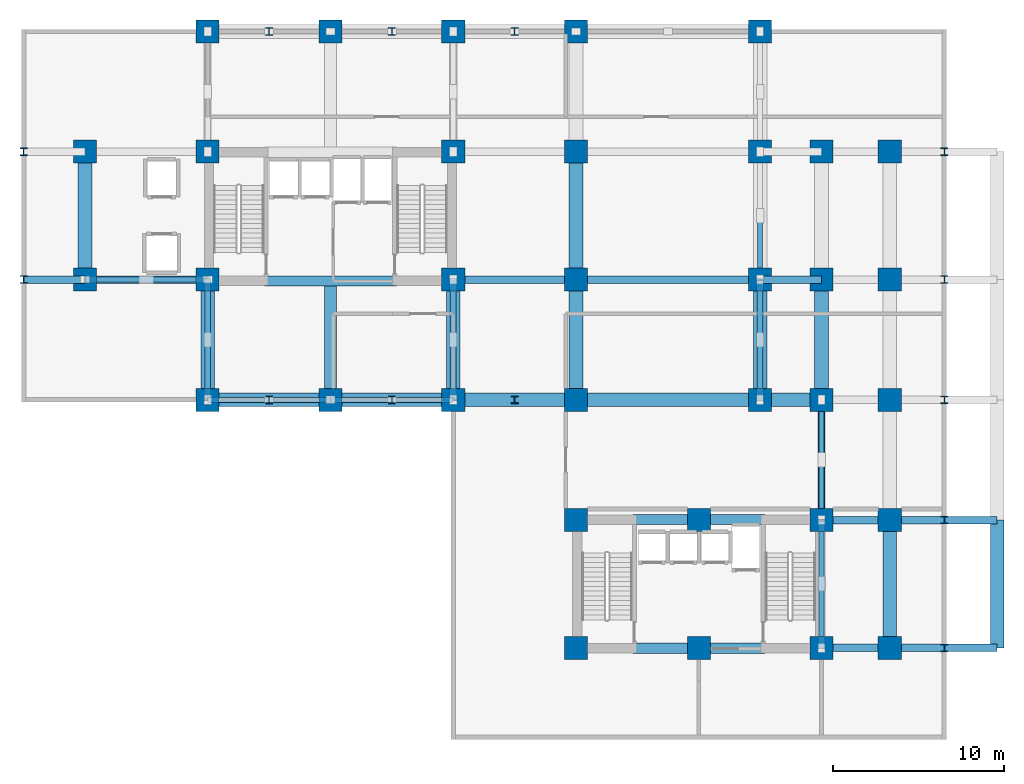
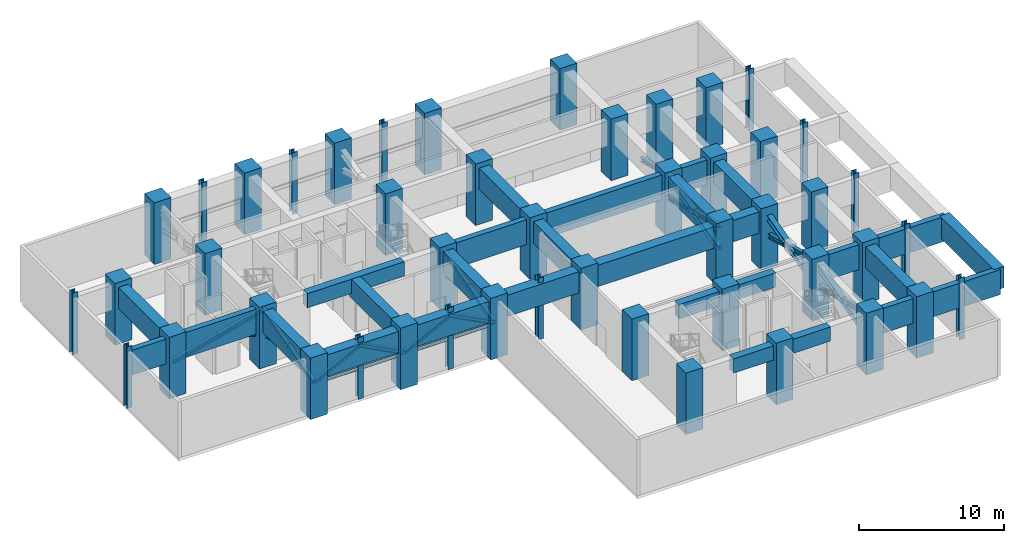
# One storey, part 1 of 8: 47 columns, 25 beams, 25 members.
"""IFC4 building model written with IfcOpenShell, lengths in metres."""

from ifc_helpers import new_model, si_unit, direction, frame, origin, origin_2d, place, context, subcontext, project, spatial, rectangle, i_section, extrude, source, transform, mapped, material, material_profile, profile_set, type_object, element, save


model = new_model("IFC4")

# Units and contexts
model_context = context("Model", 3, precision=1e-05, world=origin(), true_north=direction((0.0, 1.0)))
body_context = subcontext(model_context, "Body", "Model", "MODEL_VIEW")
ifc_project = project(units=[si_unit("LENGTHUNIT", "METRE"), si_unit("AREAUNIT", "SQUARE_METRE"), si_unit("VOLUMEUNIT", "CUBIC_METRE"), si_unit("PLANEANGLEUNIT", "RADIAN"), si_unit("MASSUNIT", "GRAM", prefix="KILO")], contexts=[model_context])

# Site, building, storey
site_placement = place(None, origin())
site = spatial("IfcSite", under=ifc_project, at=site_placement, CompositionType="ELEMENT")
building_placement = place(site_placement, origin())
building = spatial("IfcBuilding", under=site, at=building_placement, Name="Kaliganga Portal Commons", CompositionType="ELEMENT")
storey_placement = place(building_placement, frame((0.0, 0.0, 73.39990234375)))
storey = spatial("IfcBuildingStorey", under=building, at=storey_placement, Name="L18", CompositionType="ELEMENT", Elevation=73.39990234375)

# Columns
ifc_material_1 = material(Name="Concrete C70/85", Category="concrete")
ifc_material_profile_1 = material_profile(ifc_material_1, rectangle(XDim=1.35009765625, YDim=1.35009765625, at=origin_2d()), Name="RC 1350x1350")
ifc_profile_set_1 = profile_set([ifc_material_profile_1], Name="Concrete C70/85")
column_type_1 = type_object("IfcColumnType", Name="COL-MEGA-Z1", PredefinedType="COLUMN", material=ifc_profile_set_1)
shared_shape_1 = source(origin(), body_context, "Body", "SweptSolid", [
    extrude(rectangle(XDim=1.35009765625, YDim=1.35009765625, at=origin_2d()), origin(), (0.0, 0.0, 1.0), 5.2001953125),
])
for number, where, z_axis, x_axis, name in (
    (1, (7.199951171875, 28.64990234375, 0.0), (0.0, 0.0, 1.0), (1.0, 0.0, 0.0), "Column MC-02 L18"),
    (2, (7.199951171875, 36.14990234375, 0.0), (0.0, 0.0, 1.0), (1.0, 0.0, 0.0), "Column MC-02 L18"),
    (3, (14.39990234375, 21.60009765625, 0.0), (0.0, 0.0, 1.0), (1.0, 0.0, 0.0), "Column MC-02 L18"),
    (4, (14.39990234375, 28.64990234375, 0.0), (0.0, 0.0, 1.0), (1.0, 0.0, 0.0), "Column MC-02 L18"),
    (5, (14.39990234375, 36.14990234375, 0.0), (0.0, 0.0, 1.0), (1.0, 0.0, 0.0), "Column MC-02 L18"),
    (6, (14.39990234375, 43.199951171875, 0.0), (0.0, 0.0, 1.0), (1.0, 0.0, 0.0), "Column MC-02 L18"),
    (7, (21.60009765625, 21.60009765625, 0.0), (0.0, 0.0, 1.0), (1.0, 0.0, 0.0), "Column MC-02 L18"),
    (8, (21.60009765625, 43.199951171875, 0.0), (0.0, 0.0, 1.0), (1.0, 0.0, 0.0), "Column MC-02 L18"),
    (9, (28.800048828125, 21.60009765625, 0.0), (0.0, 0.0, 1.0), (1.0, 0.0, 0.0), "Column MC-02 L18"),
    (10, (28.800048828125, 28.64990234375, 0.0), (0.0, 0.0, 1.0), (1.0, 0.0, 0.0), "Column MC-02 L18"),
    (11, (28.800048828125, 36.14990234375, 0.0), (0.0, 0.0, 1.0), (1.0, 0.0, 0.0), "Column MC-02 L18"),
    (12, (28.800048828125, 43.199951171875, 0.0), (0.0, 0.0, 1.0), (1.0, 0.0, 0.0), "Column MC-02 L18"),
    (13, (36.0, 21.60009765625, 0.0), (0.0, 0.0, 1.0), (1.0, 0.0, 0.0), "Column MC-02 L18"),
    (14, (36.0, 43.199951171875, 0.0), (0.0, 0.0, 1.0), (1.0, 0.0, 0.0), "Column MC-02 L18"),
    (15, (36.0, 28.64990234375, 0.0), (0.0, 0.0, 1.0), (1.0, 0.0, 0.0), "Column MC-02 L18"),
    (16, (36.0, 36.14990234375, 0.0), (0.0, 0.0, 1.0), (1.0, 0.0, 0.0), "Column MC-02 L18"),
    (17, (46.800048828125, 21.60009765625, 0.0), (0.0, 0.0, 1.0), (1.0, 0.0, 0.0), "Column MC-02 L18"),
    (18, (46.800048828125, 28.64990234375, 0.0), (0.0, 0.0, 1.0), (1.0, 0.0, 0.0), "Column MC-02 L18"),
    (19, (46.800048828125, 36.14990234375, 0.0), (0.0, 0.0, 1.0), (1.0, 0.0, 0.0), "Column MC-02 L18"),
    (20, (46.800048828125, 43.199951171875, 0.0), (0.0, 0.0, 1.0), (1.0, 0.0, 0.0), "Column MC-02 L18"),
    (21, (36.0, 7.050048828125, 0.0), (0.0, 0.0, 1.0), (1.0, 0.0, 0.0), "Column MC-02 L18"),
    (22, (36.0, 14.550048828125, 0.0), (0.0, 0.0, 1.0), (1.0, 0.0, 0.0), "Column MC-02 L18"),
    (23, (43.199951171875, 7.050048828125, 0.0), (0.0, 0.0, 1.0), (1.0, 0.0, 0.0), "Column MC-02 L18"),
    (24, (43.199951171875, 14.550048828125, 0.0), (0.0, 0.0, 1.0), (1.0, 0.0, 0.0), "Column MC-02 L18"),
    (25, (50.39990234375, 7.050048828125, 0.0), (0.0, 0.0, 1.0), (1.0, 0.0, 0.0), "Column MC-02 L18"),
    (26, (50.39990234375, 14.550048828125, 0.0), (0.0, 0.0, 1.0), (1.0, 0.0, 0.0), "Column MC-02 L18"),
    (27, (50.39990234375, 21.60009765625, 0.0), (0.0, 0.0, 1.0), (1.0, 0.0, 0.0), "Column MC-02 L18"),
    (28, (50.39990234375, 28.64990234375, 0.0), (0.0, 0.0, 1.0), (1.0, 0.0, 0.0), "Column MC-02 L18"),
    (29, (50.39990234375, 36.14990234375, 0.0), (0.0, 0.0, 1.0), (1.0, 0.0, 0.0), "Column MC-02 L18"),
    (30, (54.39990234375, 7.050048828125, 0.0), (0.0, 0.0, 1.0), (1.0, 0.0, 0.0), "Column MC-02 L18"),
    (31, (54.39990234375, 14.550048828125, 0.0), (0.0, 0.0, 1.0), (1.0, 0.0, 0.0), "Column MC-02 L18"),
    (32, (54.39990234375, 21.60009765625, 0.0), (0.0, 0.0, 1.0), (1.0, 0.0, 0.0), "Column MC-02 L18"),
    (33, (54.39990234375, 28.64990234375, 0.0), (0.0, 0.0, 1.0), (1.0, 0.0, 0.0), "Column MC-02 L18"),
    (34, (54.39990234375, 36.14990234375, 0.0), (0.0, 0.0, 1.0), (1.0, 0.0, 0.0), "Column MC-02 L18"),
):
    element("IfcColumn", number, at=place(storey_placement, frame(where, z_axis=z_axis, x_axis=x_axis)), inside=storey, type_object=column_type_1, Name=name, PredefinedType="COLUMN", context=body_context, shape_type="MappedRepresentation", body=[
        mapped(shared_shape_1, transform((0.0, 0.0, 0.0), x_axis=(1.0, 0.0, 0.0), y_axis=(0.0, 1.0, 0.0), z_axis=(0.0, 0.0, 1.0), scale=1.0)),
    ])
ifc_material_2 = material(Name="Structural steel S460M", Category="steel")
ifc_material_profile_2 = material_profile(ifc_material_2, i_section(OverallWidth=0.416015625, OverallDepth=0.446044921875, WebThickness=0.029052734375, FlangeThickness=0.0400390625, FilletRadius=0.014892578125, at=origin_2d()), Name="HD 400x509")
ifc_profile_set_2 = profile_set([ifc_material_profile_2], Name="Structural steel S460M wide-flange")
column_type_2 = type_object("IfcColumnType", Name="COL-TUBE-B1", PredefinedType="COLUMN", material=ifc_profile_set_2)
shared_shape_2 = source(origin(), body_context, "Body", "SweptSolid", [
    extrude(i_section(OverallWidth=0.416015625, OverallDepth=0.446044921875, WebThickness=0.029052734375, FlangeThickness=0.0400390625, FilletRadius=0.014892578125, at=origin_2d()), origin(), (0.0, 0.0, 1.0), 5.2001953125),
])
for number, where, z_axis, x_axis, name in (
    (35, (3.60009765625, 28.64990234375, 0.0), (0.0, 0.0, 1.0), (1.0, 0.0, 0.0), "Column TC-01 L18"),
    (36, (3.60009765625, 36.14990234375, 0.0), (0.0, 0.0, 1.0), (1.0, 0.0, 0.0), "Column TC-01 L18"),
    (37, (18.0, 21.60009765625, 0.0), (0.0, 0.0, 1.0), (1.0, 0.0, 0.0), "Column TC-01 L18"),
    (38, (18.0, 43.199951171875, 0.0), (0.0, 0.0, 1.0), (1.0, 0.0, 0.0), "Column TC-01 L18"),
    (39, (25.199951171875, 21.60009765625, 0.0), (0.0, 0.0, 1.0), (1.0, 0.0, 0.0), "Column TC-01 L18"),
    (40, (25.199951171875, 43.199951171875, 0.0), (0.0, 0.0, 1.0), (1.0, 0.0, 0.0), "Column TC-01 L18"),
    (41, (32.39990234375, 21.60009765625, 0.0), (0.0, 0.0, 1.0), (1.0, 0.0, 0.0), "Column TC-01 L18"),
    (42, (32.39990234375, 43.199951171875, 0.0), (0.0, 0.0, 1.0), (1.0, 0.0, 0.0), "Column TC-01 L18"),
    (43, (57.60009765625, 7.050048828125, 0.0), (0.0, 0.0, 1.0), (1.0, 0.0, 0.0), "Column TC-01 L18"),
    (44, (57.60009765625, 14.550048828125, 0.0), (0.0, 0.0, 1.0), (1.0, 0.0, 0.0), "Column TC-01 L18"),
    (45, (57.60009765625, 21.60009765625, 0.0), (0.0, 0.0, 1.0), (1.0, 0.0, 0.0), "Column TC-01 L18"),
    (46, (57.60009765625, 28.64990234375, 0.0), (0.0, 0.0, 1.0), (1.0, 0.0, 0.0), "Column TC-01 L18"),
    (47, (57.60009765625, 36.14990234375, 0.0), (0.0, 0.0, 1.0), (1.0, 0.0, 0.0), "Column TC-01 L18"),
):
    element("IfcColumn", number, at=place(storey_placement, frame(where, z_axis=z_axis, x_axis=x_axis)), inside=storey, type_object=column_type_2, Name=name, PredefinedType="COLUMN", context=body_context, shape_type="MappedRepresentation", body=[
        mapped(shared_shape_2, transform((0.0, 0.0, 0.0), x_axis=(1.0, 0.0, 0.0), y_axis=(0.0, 1.0, 0.0), z_axis=(0.0, 0.0, 1.0), scale=1.0)),
    ])

# Beams
ifc_material_3 = material(Name="Concrete C60/75", Category="concrete")
ifc_material_profile_3 = material_profile(ifc_material_3, rectangle(XDim=0.60009765625, YDim=1.199951171875, at=origin_2d()), Name="RC 600x1200")
ifc_profile_set_3 = profile_set([ifc_material_profile_3], Name="Concrete C60/75")
beam_type_1 = type_object("IfcBeamType", Name="BM-CPL-1200", PredefinedType="LINTEL", material=ifc_profile_set_3)
shared_shape_3 = source(origin(), body_context, "Body", "SweptSolid", [
    extrude(rectangle(XDim=0.60009765625, YDim=1.199951171875, at=origin_2d()), origin(), (0.0, 0.0, 1.0), 7.739990234375),
])
for number, where, z_axis, x_axis, name in (
    (48, (17.72998046875, 28.574951171875, 4.18017578125), (1.0, 0.0, 0.0), (0.0, 1.0, 0.0), "BM CPL COREA L18 S"),
    (49, (39.330078125, 7.02490234375, 4.18017578125), (1.0, 0.0, 0.0), (0.0, 1.0, 0.0), "BM CPL COREB L18 S"),
    (50, (39.330078125, 14.574951171875, 4.18017578125), (1.0, 0.0, 0.0), (0.0, 1.0, 0.0), "BM CPL COREB L18 N"),
):
    element("IfcBeam", number, at=place(storey_placement, frame(where, z_axis=z_axis, x_axis=x_axis)), inside=storey, type_object=beam_type_1, Name=name, PredefinedType="LINTEL", context=body_context, shape_type="MappedRepresentation", body=[
        mapped(shared_shape_3, transform((0.0, 0.0, 0.0), x_axis=(1.0, 0.0, 0.0), y_axis=(0.0, 1.0, 0.0), z_axis=(0.0, 0.0, 1.0), scale=1.0)),
    ])
ifc_material_profile_4 = material_profile(ifc_material_1, rectangle(XDim=0.800048828125, YDim=1.800048828125, at=origin_2d()), Name="RC 800x1800")
ifc_profile_set_4 = profile_set([ifc_material_profile_4], Name="Concrete C70/85")
beam_type_2 = type_object("IfcBeamType", Name="BM-XFER-1800", PredefinedType="T_BEAM", material=ifc_profile_set_4)
shared_shape_4 = source(origin(), body_context, "Body", "SweptSolid", [
    extrude(rectangle(XDim=0.800048828125, YDim=1.800048828125, at=origin_2d()), origin(), (0.0, 0.0, 1.0), 7.2001953125),
])
beam_1_placement = place(storey_placement, frame((14.39990234375, 21.60009765625, 3.880126953125), z_axis=(1.0, 0.0, 0.0), x_axis=(0.0, 1.0, 0.0)))
element("IfcBeam", 51, at=beam_1_placement, inside=storey, type_object=beam_type_2, Name="Transfer Girder BM XFER L18 ASW 1", PredefinedType="T_BEAM", context=body_context, shape_type="MappedRepresentation", body=[
    mapped(shared_shape_4, transform((0.0, 0.0, 0.0), x_axis=(1.0, 0.0, 0.0), y_axis=(0.0, 1.0, 0.0), z_axis=(0.0, 0.0, 1.0), scale=1.0)),
])
shared_shape_5 = source(origin(), body_context, "Body", "SweptSolid", [
    extrude(rectangle(XDim=0.800048828125, YDim=1.800048828125, at=origin_2d()), origin(), (0.0, 0.0, 1.0), 7.199951171875),
])
for number, where, z_axis, x_axis, name in (
    (52, (21.60009765625, 21.60009765625, 3.880126953125), (1.0, 0.0, 0.0), (0.0, 1.0, 0.0), "Transfer Girder BM XFER L18 ASW 2"),
    (53, (28.800048828125, 21.60009765625, 3.880126953125), (1.0, 0.0, 0.0), (0.0, 1.0, 0.0), "Transfer Girder BM XFER L18 ASW 3"),
):
    element("IfcBeam", number, at=place(storey_placement, frame(where, z_axis=z_axis, x_axis=x_axis)), inside=storey, type_object=beam_type_2, Name=name, PredefinedType="T_BEAM", context=body_context, shape_type="MappedRepresentation", body=[
        mapped(shared_shape_5, transform((0.0, 0.0, 0.0), x_axis=(1.0, 0.0, 0.0), y_axis=(0.0, 1.0, 0.0), z_axis=(0.0, 0.0, 1.0), scale=1.0)),
    ])
shared_shape_6 = source(origin(), body_context, "Body", "SweptSolid", [
    extrude(rectangle(XDim=0.800048828125, YDim=1.800048828125, at=origin_2d()), origin(), (0.0, 0.0, 1.0), 10.800048828125),
])
beam_2_placement = place(storey_placement, frame((36.0, 21.60009765625, 3.880126953125), z_axis=(1.0, 0.0, 0.0), x_axis=(0.0, 1.0, 0.0)))
element("IfcBeam", 54, at=beam_2_placement, inside=storey, type_object=beam_type_2, Name="Transfer Girder BM XFER L18 ASE 1", PredefinedType="T_BEAM", context=body_context, shape_type="MappedRepresentation", body=[
    mapped(shared_shape_6, transform((0.0, 0.0, 0.0), x_axis=(1.0, 0.0, 0.0), y_axis=(0.0, 1.0, 0.0), z_axis=(0.0, 0.0, 1.0), scale=1.0)),
])
shared_shape_7 = source(origin(), body_context, "Body", "SweptSolid", [
    extrude(rectangle(XDim=0.800048828125, YDim=1.800048828125, at=origin_2d()), origin(), (0.0, 0.0, 1.0), 3.599853515625),
])
beam_3_placement = place(storey_placement, frame((46.800048828125, 21.60009765625, 3.880126953125), z_axis=(1.0, 0.0, 0.0), x_axis=(0.0, 1.0, 0.0)))
element("IfcBeam", 55, at=beam_3_placement, inside=storey, type_object=beam_type_2, Name="Transfer Girder BM XFER L18 ASE 2", PredefinedType="T_BEAM", context=body_context, shape_type="MappedRepresentation", body=[
    mapped(shared_shape_7, transform((0.0, 0.0, 0.0), x_axis=(1.0, 0.0, 0.0), y_axis=(0.0, 1.0, 0.0), z_axis=(0.0, 0.0, 1.0), scale=1.0)),
])
ifc_material_profile_5 = material_profile(ifc_material_1, rectangle(XDim=0.43994140625, YDim=2.10009765625, at=origin_2d()), Name="RC 440x2100")
ifc_profile_set_5 = profile_set([ifc_material_profile_5], Name="Concrete C70/85")
beam_type_3 = type_object("IfcBeamType", Name="BM-XFER-SLIM", PredefinedType="T_BEAM", material=ifc_profile_set_5)
shared_shape_8 = source(origin(), body_context, "Body", "SweptSolid", [
    extrude(rectangle(XDim=0.43994140625, YDim=2.10009765625, at=origin_2d()), origin(), (0.0, 0.0, 1.0), 7.199951171875),
])
for number, where, z_axis, x_axis, name in (
    (56, (7.199951171875, 28.64990234375, 3.72998046875), (1.0, 0.0, 0.0), (0.0, 1.0, 0.0), "Transfer Girder BM XFER L18 WW1 2"),
    (57, (28.800048828125, 28.64990234375, 3.72998046875), (1.0, 0.0, 0.0), (0.0, 1.0, 0.0), "Transfer Girder BM XFER L18 WE1 1"),
):
    element("IfcBeam", number, at=place(storey_placement, frame(where, z_axis=z_axis, x_axis=x_axis)), inside=storey, type_object=beam_type_3, Name=name, PredefinedType="T_BEAM", context=body_context, shape_type="MappedRepresentation", body=[
        mapped(shared_shape_8, transform((0.0, 0.0, 0.0), x_axis=(1.0, 0.0, 0.0), y_axis=(0.0, 1.0, 0.0), z_axis=(0.0, 0.0, 1.0), scale=1.0)),
    ])
shared_shape_9 = source(origin(), body_context, "Body", "SweptSolid", [
    extrude(rectangle(XDim=0.43994140625, YDim=2.10009765625, at=origin_2d()), origin(), (0.0, 0.0, 1.0), 10.800048828125),
])
beam_4_placement = place(storey_placement, frame((36.0, 28.64990234375, 3.72998046875), z_axis=(1.0, 0.0, 0.0), x_axis=(0.0, 1.0, 0.0)))
element("IfcBeam", 58, at=beam_4_placement, inside=storey, type_object=beam_type_3, Name="Transfer Girder BM XFER L18 WE1 2", PredefinedType="T_BEAM", context=body_context, shape_type="MappedRepresentation", body=[
    mapped(shared_shape_9, transform((0.0, 0.0, 0.0), x_axis=(1.0, 0.0, 0.0), y_axis=(0.0, 1.0, 0.0), z_axis=(0.0, 0.0, 1.0), scale=1.0)),
])
shared_shape_10 = source(origin(), body_context, "Body", "SweptSolid", [
    extrude(rectangle(XDim=0.43994140625, YDim=2.10009765625, at=origin_2d()), origin(), (0.0, 0.0, 1.0), 3.599853515625),
])
for number, where, z_axis, x_axis, name in (
    (59, (3.60009765625, 28.64990234375, 3.72998046875), (1.0, 0.0, 0.0), (0.0, 1.0, 0.0), "Transfer Girder BM XFER L18 WW1 1"),
    (60, (46.800048828125, 28.64990234375, 3.72998046875), (1.0, 0.0, 0.0), (0.0, 1.0, 0.0), "Transfer Girder BM XFER L18 WE1 3"),
):
    element("IfcBeam", number, at=place(storey_placement, frame(where, z_axis=z_axis, x_axis=x_axis)), inside=storey, type_object=beam_type_3, Name=name, PredefinedType="T_BEAM", context=body_context, shape_type="MappedRepresentation", body=[
        mapped(shared_shape_10, transform((0.0, 0.0, 0.0), x_axis=(1.0, 0.0, 0.0), y_axis=(0.0, 1.0, 0.0), z_axis=(0.0, 0.0, 1.0), scale=1.0)),
    ])
shared_shape_11 = source(origin(), body_context, "Body", "SweptSolid", [
    extrude(rectangle(XDim=0.800048828125, YDim=1.800048828125, at=origin_2d()), origin(), (0.0, 0.0, 1.0), 7.5),
])
for number, where, z_axis, x_axis, name in (
    (61, (7.199951171875, 28.64990234375, 3.880126953125), (0.0, 1.0, 0.0), (-1.0, 0.0, 0.0), "Transfer Girder BM XFER L18 NS72 1"),
    (62, (36.0, 28.64990234375, 3.880126953125), (0.0, 1.0, 0.0), (-1.0, 0.0, 0.0), "Transfer Girder BM XFER L18 NS360 4"),
    (63, (54.39990234375, 7.050048828125, 3.880126953125), (0.0, 1.0, 0.0), (-1.0, 0.0, 0.0), "Transfer Girder BM XFER L18 NS544 1"),
    (64, (60.699951171875, 7.050048828125, 3.880126953125), (0.0, 1.0, 0.0), (-1.0, 0.0, 0.0), "Transfer Girder BM XFER L18 NS607 1"),
):
    element("IfcBeam", number, at=place(storey_placement, frame(where, z_axis=z_axis, x_axis=x_axis)), inside=storey, type_object=beam_type_2, Name=name, PredefinedType="T_BEAM", context=body_context, shape_type="MappedRepresentation", body=[
        mapped(shared_shape_11, transform((0.0, 0.0, 0.0), x_axis=(1.0, 0.0, 0.0), y_axis=(0.0, 1.0, 0.0), z_axis=(0.0, 0.0, 1.0), scale=1.0)),
    ])
shared_shape_12 = source(origin(), body_context, "Body", "SweptSolid", [
    extrude(rectangle(XDim=0.800048828125, YDim=1.800048828125, at=origin_2d()), origin(), (0.0, 0.0, 1.0), 7.0498046875),
])
for number, where, z_axis, x_axis, name in (
    (65, (14.39990234375, 21.60009765625, 3.880126953125), (0.0, 1.0, 0.0), (-1.0, 0.0, 0.0), "Transfer Girder BM XFER L18 NS144 1"),
    (66, (28.800048828125, 21.60009765625, 3.880126953125), (0.0, 1.0, 0.0), (-1.0, 0.0, 0.0), "Transfer Girder BM XFER L18 NS288 1"),
    (67, (36.0, 21.60009765625, 3.880126953125), (0.0, 1.0, 0.0), (-1.0, 0.0, 0.0), "Transfer Girder BM XFER L18 NS360 3"),
    (68, (46.800048828125, 21.60009765625, 3.880126953125), (0.0, 1.0, 0.0), (-1.0, 0.0, 0.0), "Transfer Girder BM XFER L18 NS468 1"),
    (69, (50.39990234375, 21.60009765625, 3.880126953125), (0.0, 1.0, 0.0), (-1.0, 0.0, 0.0), "Transfer Girder BM XFER L18 NS504 3"),
):
    element("IfcBeam", number, at=place(storey_placement, frame(where, z_axis=z_axis, x_axis=x_axis)), inside=storey, type_object=beam_type_2, Name=name, PredefinedType="T_BEAM", context=body_context, shape_type="MappedRepresentation", body=[
        mapped(shared_shape_12, transform((0.0, 0.0, 0.0), x_axis=(1.0, 0.0, 0.0), y_axis=(0.0, 1.0, 0.0), z_axis=(0.0, 0.0, 1.0), scale=1.0)),
    ])

# Members
ifc_material_profile_6 = material_profile(ifc_material_2, i_section(OverallWidth=0.300048828125, OverallDepth=0.2900390625, WebThickness=0.008544921875, FlangeThickness=0.013916015625, FilletRadius=0.027099609375, at=origin_2d()), Name="HE 300 A")
ifc_profile_set_6 = profile_set([ifc_material_profile_6], Name="Structural steel S460M wide-flange")
member_type_1 = type_object("IfcMemberType", Name="MBR-CHORD-300A", PredefinedType="CHORD", material=ifc_profile_set_6)
shared_shape_13 = source(origin(), body_context, "Body", "SweptSolid", [
    extrude(i_section(OverallWidth=0.300048828125, OverallDepth=0.2900390625, WebThickness=0.008544921875, FlangeThickness=0.013916015625, FilletRadius=0.027099609375, at=origin_2d()), origin(), (0.0, 0.0, 1.0), 7.2001953125),
])
member_1_placement = place(storey_placement, frame((14.39990234375, 21.60009765625, 2.550048828125), z_axis=(1.0, 0.0, 0.0), x_axis=(0.0, 1.0, 0.0)))
element("IfcMember", 70, at=member_1_placement, inside=storey, type_object=member_type_1, Name="Belt Truss Bottom Chord CHD-L18-05", PredefinedType="CHORD", context=body_context, shape_type="MappedRepresentation", body=[
    mapped(shared_shape_13, transform((0.0, 0.0, 0.0), x_axis=(1.0, 0.0, 0.0), y_axis=(0.0, 1.0, 0.0), z_axis=(0.0, 0.0, 1.0), scale=1.0)),
])
shared_shape_14 = source(origin(), body_context, "Body", "SweptSolid", [
    extrude(i_section(OverallWidth=0.300048828125, OverallDepth=0.2900390625, WebThickness=0.008544921875, FlangeThickness=0.013916015625, FilletRadius=0.027099609375, at=origin_2d()), origin(), (0.0, 0.0, 1.0), 7.199951171875),
])
member_2_placement = place(storey_placement, frame((21.60009765625, 21.60009765625, 2.550048828125), z_axis=(1.0, 0.0, 0.0), x_axis=(0.0, 1.0, 0.0)))
element("IfcMember", 71, at=member_2_placement, inside=storey, type_object=member_type_1, Name="Belt Truss Bottom Chord CHD-L18-06", PredefinedType="CHORD", context=body_context, shape_type="MappedRepresentation", body=[
    mapped(shared_shape_14, transform((0.0, 0.0, 0.0), x_axis=(1.0, 0.0, 0.0), y_axis=(0.0, 1.0, 0.0), z_axis=(0.0, 0.0, 1.0), scale=1.0)),
])

# Beams
shared_shape_15 = source(origin(), body_context, "Body", "SweptSolid", [
    extrude(rectangle(XDim=0.43994140625, YDim=2.10009765625, at=origin_2d()), origin(), (0.0, 0.0, 1.0), 10.300048828125),
])
for number, where, z_axis, x_axis, name in (
    (72, (50.39990234375, 7.050048828125, 3.72998046875), (1.0, 0.0, 0.0), (0.0, 1.0, 0.0), "Transfer Girder BM XFER L18 WBC1"),
    (73, (50.39990234375, 14.550048828125, 3.72998046875), (1.0, 0.0, 0.0), (0.0, 1.0, 0.0), "Transfer Girder BM XFER L18 WBC2"),
):
    element("IfcBeam", number, at=place(storey_placement, frame(where, z_axis=z_axis, x_axis=x_axis)), inside=storey, type_object=beam_type_3, Name=name, PredefinedType="T_BEAM", context=body_context, shape_type="MappedRepresentation", body=[
        mapped(shared_shape_15, transform((0.0, 0.0, 0.0), x_axis=(1.0, 0.0, 0.0), y_axis=(0.0, 1.0, 0.0), z_axis=(0.0, 0.0, 1.0), scale=1.0)),
    ])
ifc_material_profile_7 = material_profile(ifc_material_3, rectangle(XDim=0.699951171875, YDim=1.60009765625, at=origin_2d()), Name="RC 700x1600")
ifc_profile_set_7 = profile_set([ifc_material_profile_7], Name="Concrete C60/75")
beam_type_4 = type_object("IfcBeamType", Name="BM-XFER-1600", PredefinedType="T_BEAM", material=ifc_profile_set_7)
shared_shape_16 = source(origin(), body_context, "Body", "SweptSolid", [
    extrude(rectangle(XDim=0.699951171875, YDim=1.60009765625, at=origin_2d()), origin(), (0.0, 0.0, 1.0), 6.974853515625),
])
beam_5_placement = place(storey_placement, frame((21.60009765625, 21.60009765625, 3.97998046875), z_axis=(0.0, 1.0, 0.0), x_axis=(-1.0, 0.0, 0.0)))
element("IfcBeam", 74, at=beam_5_placement, inside=storey, type_object=beam_type_4, Name="Transfer Girder BM XFER L18 CAS216", PredefinedType="T_BEAM", context=body_context, shape_type="MappedRepresentation", body=[
    mapped(shared_shape_16, transform((0.0, 0.0, 0.0), x_axis=(1.0, 0.0, 0.0), y_axis=(0.0, 1.0, 0.0), z_axis=(0.0, 0.0, 1.0), scale=1.0)),
])

# Members
ifc_material_profile_8 = material_profile(ifc_material_2, i_section(OverallWidth=0.412109375, OverallDepth=0.43798828125, WebThickness=0.02685546875, FlangeThickness=0.03662109375, FilletRadius=0.014892578125, at=origin_2d()), Name="HD 400x463")
ifc_profile_set_8 = profile_set([ifc_material_profile_8], Name="Structural steel S460M wide-flange")
member_type_2 = type_object("IfcMemberType", Name="MBR-OUTRIG-509", PredefinedType="USERDEFINED", material=ifc_profile_set_8)
shared_shape_17 = source(origin(), body_context, "Body", "SweptSolid", [
    extrude(i_section(OverallWidth=0.412109375, OverallDepth=0.43798828125, WebThickness=0.02685546875, FlangeThickness=0.03662109375, FilletRadius=0.014892578125, at=origin_2d()), origin(), (0.0, 0.0, 1.0), 7.44140625),
])
member_3_placement = place(storey_placement, frame((14.39990234375, 28.64990234375, 2.550048828125), z_axis=(-0.967555575147, 0.0, 0.252658285043), x_axis=(0.0, -1.0, 0.0)))
element("IfcMember", 75, at=member_3_placement, inside=storey, type_object=member_type_2, Name="Outrigger Strut OT-L18-01A", ObjectType="OUTRIGGER", PredefinedType="USERDEFINED", context=body_context, shape_type="MappedRepresentation", body=[
    mapped(shared_shape_17, transform((0.0, 0.0, 0.0), x_axis=(1.0, 0.0, 0.0), y_axis=(0.0, 1.0, 0.0), z_axis=(0.0, 0.0, 1.0), scale=1.0)),
])
ifc_material_profile_9 = material_profile(ifc_material_2, i_section(OverallWidth=0.300048828125, OverallDepth=0.360107421875, WebThickness=0.012451171875, FlangeThickness=0.0224609375, FilletRadius=0.027099609375, at=origin_2d()), Name="HE 360 B")
ifc_profile_set_9 = profile_set([ifc_material_profile_9], Name="Structural steel S460M wide-flange")
member_type_3 = type_object("IfcMemberType", Name="MBR-BELT-360", PredefinedType="BRACE", material=ifc_profile_set_9)
shared_shape_18 = source(origin(), body_context, "Body", "SweptSolid", [
    extrude(i_section(OverallWidth=0.300048828125, OverallDepth=0.360107421875, WebThickness=0.012451171875, FlangeThickness=0.0224609375, FilletRadius=0.027099609375, at=origin_2d()), origin(), (0.0, 0.0, 1.0), 3.720703125),
])
for number, where, z_axis, x_axis, name in (
    (76, (14.39990234375, 28.64990234375, 4.43017578125), (-0.967545459367, 0.0, -0.25269702028), (0.0, -1.0, 0.0), "Outrigger Split Counter-Diagonal OT-L18-01B1"),
    (77, (10.800048828125, 28.64990234375, 3.489990234375), (-0.967565688903, 0.0, -0.252619551219), (0.0, -1.0, 0.0), "Outrigger Split Counter-Diagonal OT-L18-01B2"),
):
    element("IfcMember", number, at=place(storey_placement, frame(where, z_axis=z_axis, x_axis=x_axis)), inside=storey, type_object=member_type_3, Name=name, PredefinedType="BRACE", context=body_context, shape_type="MappedRepresentation", body=[
        mapped(shared_shape_18, transform((0.0, 0.0, 0.0), x_axis=(1.0, 0.0, 0.0), y_axis=(0.0, 1.0, 0.0), z_axis=(0.0, 0.0, 1.0), scale=1.0)),
    ])
shared_shape_19 = source(origin(), body_context, "Body", "SweptSolid", [
    extrude(i_section(OverallWidth=0.412109375, OverallDepth=0.43798828125, WebThickness=0.02685546875, FlangeThickness=0.03662109375, FilletRadius=0.014892578125, at=origin_2d()), origin(), (0.0, 0.0, 1.0), 7.296142578125),
])
for number, where, z_axis, x_axis, name in (
    (78, (14.39990234375, 28.64990234375, 2.550048828125), (0.0, -0.966228830211, 0.257685559685), (1.0, 0.0, 0.0), "Outrigger Strut OT-L18-02A"),
    (79, (28.800048828125, 28.64990234375, 2.550048828125), (0.0, -0.966228830211, 0.257685559685), (1.0, 0.0, 0.0), "Outrigger Strut OT-L18-03A"),
    (80, (46.800048828125, 21.60009765625, 2.550048828125), (0.0, 0.966228830211, 0.257685559685), (-1.0, 0.0, 0.0), "Outrigger Strut OT-L18-06A"),
):
    element("IfcMember", number, at=place(storey_placement, frame(where, z_axis=z_axis, x_axis=x_axis)), inside=storey, type_object=member_type_2, Name=name, ObjectType="OUTRIGGER", PredefinedType="USERDEFINED", context=body_context, shape_type="MappedRepresentation", body=[
        mapped(shared_shape_19, transform((0.0, 0.0, 0.0), x_axis=(1.0, 0.0, 0.0), y_axis=(0.0, 1.0, 0.0), z_axis=(0.0, 0.0, 1.0), scale=1.0)),
    ])
shared_shape_20 = source(origin(), body_context, "Body", "SweptSolid", [
    extrude(i_section(OverallWidth=0.300048828125, OverallDepth=0.360107421875, WebThickness=0.012451171875, FlangeThickness=0.0224609375, FilletRadius=0.027099609375, at=origin_2d()), origin(), (0.0, 0.0, 1.0), 3.648193359375),
])
for number, where, z_axis, x_axis, name in (
    (81, (14.39990234375, 28.64990234375, 4.43017578125), (0.0, -0.966220498472, -0.257716798699), (1.0, 0.0, 0.0), "Outrigger Split Counter-Diagonal OT-L18-02B1"),
    (82, (14.39990234375, 25.125, 3.489990234375), (0.0, -0.966237161082, -0.257654319862), (1.0, 0.0, 0.0), "Outrigger Split Counter-Diagonal OT-L18-02B2"),
    (83, (28.800048828125, 28.64990234375, 4.43017578125), (0.0, -0.966220498472, -0.257716798699), (1.0, 0.0, 0.0), "Outrigger Split Counter-Diagonal OT-L18-03B1"),
    (84, (28.800048828125, 25.125, 3.489990234375), (0.0, -0.966237161082, -0.257654319862), (1.0, 0.0, 0.0), "Outrigger Split Counter-Diagonal OT-L18-03B2"),
    (85, (46.800048828125, 21.60009765625, 4.43017578125), (0.0, 0.966220498472, -0.257716798699), (-1.0, 0.0, 0.0), "Outrigger Split Counter-Diagonal OT-L18-06B1"),
    (86, (46.800048828125, 25.125, 3.489990234375), (0.0, 0.966237161082, -0.257654319862), (-1.0, 0.0, 0.0), "Outrigger Split Counter-Diagonal OT-L18-06B2"),
    (87, (50.39990234375, 14.550048828125, 4.43017578125), (0.0, 0.966220498472, -0.257716798699), (-1.0, 0.0, 0.0), "Outrigger Split Counter-Diagonal OT-L18-10B1"),
    (88, (50.39990234375, 18.074951171875, 3.489990234375), (0.0, 0.966241603398, -0.257637660024), (-1.0, 0.0, 0.0), "Outrigger Split Counter-Diagonal OT-L18-10B2"),
):
    element("IfcMember", number, at=place(storey_placement, frame(where, z_axis=z_axis, x_axis=x_axis)), inside=storey, type_object=member_type_3, Name=name, PredefinedType="BRACE", context=body_context, shape_type="MappedRepresentation", body=[
        mapped(shared_shape_20, transform((0.0, 0.0, 0.0), x_axis=(1.0, 0.0, 0.0), y_axis=(0.0, 1.0, 0.0), z_axis=(0.0, 0.0, 1.0), scale=1.0)),
    ])
shared_shape_21 = source(origin(), body_context, "Body", "SweptSolid", [
    extrude(i_section(OverallWidth=0.412109375, OverallDepth=0.43798828125, WebThickness=0.02685546875, FlangeThickness=0.03662109375, FilletRadius=0.014892578125, at=origin_2d()), origin(), (0.0, 0.0, 1.0), 7.29638671875),
])
member_4_placement = place(storey_placement, frame((50.39990234375, 14.550048828125, 2.550048828125), z_axis=(0.0, 0.966231051996, 0.257677228639), x_axis=(-1.0, 0.0, 0.0)))
element("IfcMember", 89, at=member_4_placement, inside=storey, type_object=member_type_2, Name="Outrigger Strut OT-L18-10A", ObjectType="OUTRIGGER", PredefinedType="USERDEFINED", context=body_context, shape_type="MappedRepresentation", body=[
    mapped(shared_shape_21, transform((0.0, 0.0, 0.0), x_axis=(1.0, 0.0, 0.0), y_axis=(0.0, 1.0, 0.0), z_axis=(0.0, 0.0, 1.0), scale=1.0)),
])
shared_shape_22 = source(origin(), body_context, "Body", "SweptSolid", [
    extrude(i_section(OverallWidth=0.412109375, OverallDepth=0.43798828125, WebThickness=0.02685546875, FlangeThickness=0.03662109375, FilletRadius=0.014892578125, at=origin_2d()), origin(), (0.0, 0.0, 1.0), 7.732177734375),
])
member_5_placement = place(storey_placement, frame((50.39990234375, 7.050048828125, 2.550048828125), z_axis=(0.0, 0.969986281405, 0.243159646911), x_axis=(-1.0, 0.0, 0.0)))
element("IfcMember", 90, at=member_5_placement, inside=storey, type_object=member_type_2, Name="Outrigger Strut OT-L18-09A", ObjectType="OUTRIGGER", PredefinedType="USERDEFINED", context=body_context, shape_type="MappedRepresentation", body=[
    mapped(shared_shape_22, transform((0.0, 0.0, 0.0), x_axis=(1.0, 0.0, 0.0), y_axis=(0.0, 1.0, 0.0), z_axis=(0.0, 0.0, 1.0), scale=1.0)),
])
shared_shape_23 = source(origin(), body_context, "Body", "SweptSolid", [
    extrude(i_section(OverallWidth=0.300048828125, OverallDepth=0.360107421875, WebThickness=0.012451171875, FlangeThickness=0.0224609375, FilletRadius=0.027099609375, at=origin_2d()), origin(), (0.0, 0.0, 1.0), 3.865966796875),
])
for number, where, z_axis, x_axis, name in (
    (91, (46.800048828125, 28.64990234375, 4.43017578125), (0.0, 0.969978833662, -0.243189354716), (-1.0, 0.0, 0.0), "Outrigger Split Counter-Diagonal OT-L18-07B1"),
    (92, (50.39990234375, 7.050048828125, 4.43017578125), (0.0, 0.969978833662, -0.243189354716), (-1.0, 0.0, 0.0), "Outrigger Split Counter-Diagonal OT-L18-09B1"),
    (93, (50.39990234375, 10.800048828125, 3.489990234375), (0.0, 0.969993728352, -0.243129938422), (-1.0, 0.0, 0.0), "Outrigger Split Counter-Diagonal OT-L18-09B2"),
):
    element("IfcMember", number, at=place(storey_placement, frame(where, z_axis=z_axis, x_axis=x_axis)), inside=storey, type_object=member_type_3, Name=name, PredefinedType="BRACE", context=body_context, shape_type="MappedRepresentation", body=[
        mapped(shared_shape_23, transform((0.0, 0.0, 0.0), x_axis=(1.0, 0.0, 0.0), y_axis=(0.0, 1.0, 0.0), z_axis=(0.0, 0.0, 1.0), scale=1.0)),
    ])
ifc_material_profile_10 = material_profile(ifc_material_2, i_section(OverallWidth=0.300048828125, OverallDepth=0.300048828125, WebThickness=0.010986328125, FlangeThickness=0.01904296875, FilletRadius=0.027099609375, at=origin_2d()), Name="HE 300 B")
ifc_profile_set_10 = profile_set([ifc_material_profile_10], Name="Structural steel S460M wide-flange")
member_type_4 = type_object("IfcMemberType", Name="MBR-BELT-300", PredefinedType="BRACE", material=ifc_profile_set_10)
shared_shape_24 = source(origin(), body_context, "Body", "SweptSolid", [
    extrude(i_section(OverallWidth=0.300048828125, OverallDepth=0.300048828125, WebThickness=0.010986328125, FlangeThickness=0.01904296875, FilletRadius=0.027099609375, at=origin_2d()), origin(), (0.0, 0.0, 1.0), 4.0615234375),
])
for number, where, z_axis, x_axis, name in (
    (94, (14.39990234375, 21.60009765625, 2.550048828125), (0.886401495107, 0.0, 0.462917259855), (0.0, 1.0, 0.0), "Belt Truss Diagonal BT-L18-05L"),
    (95, (21.60009765625, 21.60009765625, 2.550048828125), (-0.886401495107, 0.0, 0.462917259855), (0.0, -1.0, 0.0), "Belt Truss Diagonal BT-L18-05R"),
    (96, (28.800048828125, 21.60009765625, 2.550048828125), (-0.886401495107, 0.0, 0.462917259855), (0.0, -1.0, 0.0), "Belt Truss Diagonal BT-L18-06R"),
):
    element("IfcMember", number, at=place(storey_placement, frame(where, z_axis=z_axis, x_axis=x_axis)), inside=storey, type_object=member_type_4, Name=name, PredefinedType="BRACE", context=body_context, shape_type="MappedRepresentation", body=[
        mapped(shared_shape_24, transform((0.0, 0.0, 0.0), x_axis=(1.0, 0.0, 0.0), y_axis=(0.0, 1.0, 0.0), z_axis=(0.0, 0.0, 1.0), scale=1.0)),
    ])
shared_shape_25 = source(origin(), body_context, "Body", "SweptSolid", [
    extrude(i_section(OverallWidth=0.300048828125, OverallDepth=0.300048828125, WebThickness=0.010986328125, FlangeThickness=0.01904296875, FilletRadius=0.027099609375, at=origin_2d()), origin(), (0.0, 0.0, 1.0), 4.061279296875),
])
member_6_placement = place(storey_placement, frame((21.60009765625, 21.60009765625, 2.550048828125), z_axis=(0.88638861268, 0.0, 0.4629419265), x_axis=(0.0, 1.0, 0.0)))
element("IfcMember", 97, at=member_6_placement, inside=storey, type_object=member_type_4, Name="Belt Truss Diagonal BT-L18-06L", PredefinedType="BRACE", context=body_context, shape_type="MappedRepresentation", body=[
    mapped(shared_shape_25, transform((0.0, 0.0, 0.0), x_axis=(1.0, 0.0, 0.0), y_axis=(0.0, 1.0, 0.0), z_axis=(0.0, 0.0, 1.0), scale=1.0)),
])

save(model, "model.ifc")
